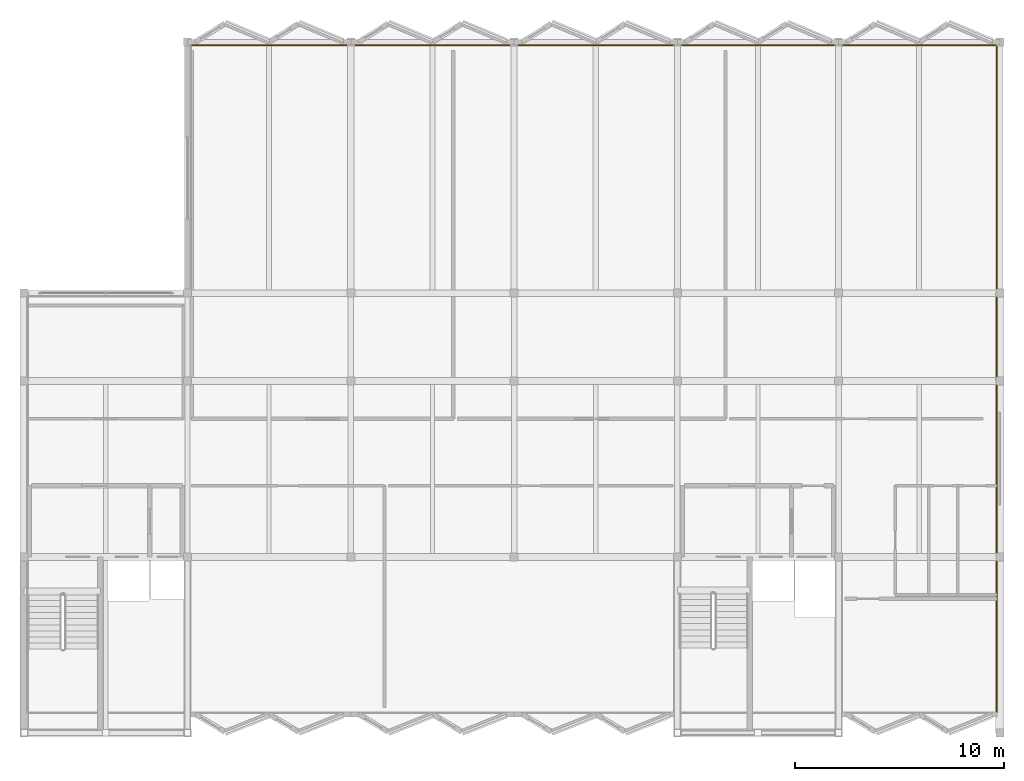
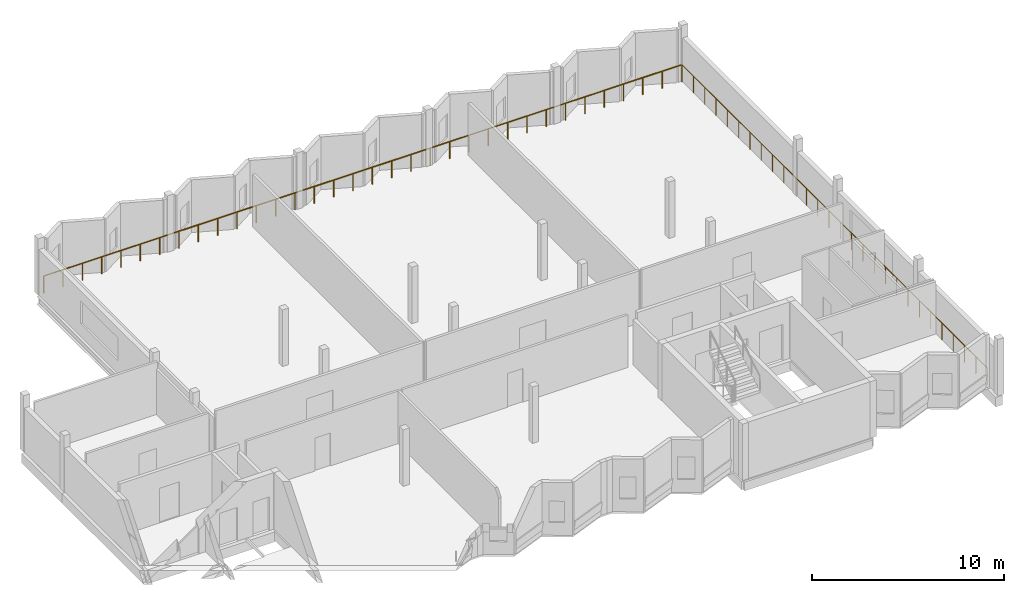
# One storey, part 11 of 11: 2 railings.
"""IFC4 building model written with IfcOpenShell, lengths in metres."""

import ifcopenshell
import ifcopenshell.guid

model = None  # the IFC model being written
_history = None  # IfcOwnerHistory: only IFC2X3 demands one
_inside = {}  # id of a spatial element -> (the spatial element, [elements in it])
_under = {}  # id of a project, library or spatial element -> (it, [spatial elements below it])
_declared = {}  # id of a project -> (the project, [libraries it declares])
_typed = {}  # id of a type object -> (the type object, [elements of that type])
_made_of = {}  # id of a material, layer set ... -> (it, [elements and type objects made of it])


def new_model(schema):
    """Start an empty IFC model of exactly this schema.

    Asked for "IFC4X3", IfcOpenShell would pick the latest addendum, in which some entities
    have other attributes; the version numbers below select the first issue.
    IFC2X3 requires an IfcOwnerHistory on every rooted entity: one is made here for all.
    """
    global model, _history
    if schema == "IFC4X3":
        model = ifcopenshell.file(schema_version=(4, 3, 0, 0))
    else:
        model = ifcopenshell.file(schema=schema)
    _inside.clear()
    _under.clear()
    _declared.clear()
    _typed.clear()
    _made_of.clear()
    _history = None
    if model.schema == "IFC2X3":
        org = make("IfcOrganization", Name="unknown")
        user = make(
            "IfcPersonAndOrganization",
            ThePerson=make("IfcPerson", FamilyName="unknown"),
            TheOrganization=org,
        )
        app = make(
            "IfcApplication",
            ApplicationDeveloper=org,
            Version="unknown",
            ApplicationFullName="unknown",
            ApplicationIdentifier="unknown",
        )
        _history = make(
            "IfcOwnerHistory",
            OwningUser=user,
            OwningApplication=app,
            ChangeAction="ADDED",
            CreationDate=0,
        )
    return model


def make(cls, **values):
    """One entity of the class cls with the attributes given. An attribute that is None is left unset."""
    return model.create_entity(
        cls, **{name: value for name, value in values.items() if value is not None}
    )


def rooted(cls, **values):
    """An entity with a GlobalId (a new one), such as an element, a storey or a relation."""
    return make(cls, GlobalId=ifcopenshell.guid.new(), OwnerHistory=_history, **values)


def si_unit(unit_type, name, prefix=None):
    """IfcSIUnit, for example si_unit("LENGTHUNIT", "METRE", prefix="MILLI")."""
    return make("IfcSIUnit", UnitType=unit_type, Prefix=prefix, Name=name)


def assignment(units):
    """IfcUnitAssignment: the units of a project."""
    return None if units is None else make("IfcUnitAssignment", Units=units)


def point(xyz):
    """IfcCartesianPoint."""
    return None if xyz is None else make("IfcCartesianPoint", Coordinates=xyz)


def direction(xyz):
    """IfcDirection."""
    return None if xyz is None else make("IfcDirection", DirectionRatios=xyz)


def frame(location, z_axis=None, x_axis=None):
    """IfcAxis2Placement3D, a coordinate frame: its origin and axes. An axis left out is left unset."""
    return make(
        "IfcAxis2Placement3D",
        Location=point(location),
        Axis=direction(z_axis),
        RefDirection=direction(x_axis),
    )


def frame_2d(location, x_axis=None):
    """IfcAxis2Placement2D, a coordinate frame in the plane: its origin and x axis."""
    return make(
        "IfcAxis2Placement2D", Location=point(location), RefDirection=direction(x_axis)
    )


def origin():
    """The frame at (0, 0, 0) with its axes left unset."""
    return frame((0.0, 0.0, 0.0))


def origin_2d():
    """The frame at (0, 0) in the plane with its x axis left unset."""
    return frame_2d((0.0, 0.0))


def place(relative_to, where):
    """IfcLocalPlacement: puts the frame where relative to a parent placement (None: the world)."""
    return make(
        "IfcLocalPlacement", PlacementRelTo=relative_to, RelativePlacement=where
    )


def context(
    kind, dimensions, precision=None, world=None, true_north=None, identifier=None
):
    """IfcGeometricRepresentationContext, for example the 3D "Model" context."""
    return make(
        "IfcGeometricRepresentationContext",
        ContextIdentifier=identifier,
        ContextType=kind,
        CoordinateSpaceDimension=dimensions,
        Precision=precision,
        WorldCoordinateSystem=world,
        TrueNorth=true_north,
    )


def subcontext(parent, identifier, kind, view, scale=None):
    """IfcGeometricRepresentationSubContext, for example "Body" below "Model"."""
    return make(
        "IfcGeometricRepresentationSubContext",
        ContextIdentifier=identifier,
        ContextType=kind,
        ParentContext=parent,
        TargetScale=scale,
        TargetView=view,
    )


def project(units=None, contexts=None):
    """IfcProject with its units and contexts."""
    return rooted(
        "IfcProject",
        Name="project",
        RepresentationContexts=contexts,
        UnitsInContext=assignment(units),
    )


def spatial(cls, under=None, at=None, **own):
    """A site, building, storey or space (cls), placed at a placement, below another one or the project."""
    s = rooted(cls, ObjectPlacement=at, **own)
    if under is not None:
        _under.setdefault(under.id(), (under, []))[1].append(s)
    return s


def profile(cls, at=None, kind="AREA", **sizes):
    """A parametric profile (cls). Its sizes go by their IFC names, for example OverallWidth=200.0."""
    return make(cls, ProfileType=kind, Position=at, **sizes)


def circle(**sizes):
    """IfcCircleProfileDef."""
    return profile("IfcCircleProfileDef", **sizes)


def extrude(swept, where, along, depth):
    """IfcExtrudedAreaSolid: the profile swept, set in the frame where, extruded along a direction by depth."""
    return make(
        "IfcExtrudedAreaSolid",
        SweptArea=swept,
        Position=where,
        ExtrudedDirection=direction(along),
        Depth=depth,
    )


def shape(context_of_items, identifier, shape_type, items):
    """IfcShapeRepresentation: the items that make up one representation, for example the "Body"."""
    return make(
        "IfcShapeRepresentation",
        ContextOfItems=context_of_items,
        RepresentationIdentifier=identifier,
        RepresentationType=shape_type,
        Items=items,
    )


def material(Name=None, Category=None):
    """IfcMaterial."""
    return make("IfcMaterial", Name=Name, Category=Category)


def made_of(thing, what):
    """Note that an element or type object is made of a material, layer set ...; save() writes the relation."""
    if what is not None:
        _made_of.setdefault(what.id(), (what, []))[1].append(thing)
    return thing


def type_object(cls, material=None, **own):
    """A type object (cls), such as IfcWallType, which elements share."""
    return made_of(rooted(cls, **own), material)


def element(
    cls,
    number,
    at=None,
    inside=None,
    cuts=None,
    type_object=None,
    material=None,
    context=None,
    identifier="Body",
    shape_type=None,
    held_by="IfcProductDefinitionShape",
    body=None,
    shapes=None,
    **own,
):
    """One element of the class cls, such as IfcWall. Its Tag is "e" and its number.

    at: its placement. inside: the storey or other place that contains it. cuts: it is an
    opening in that element (IfcRelVoidsElement). A single representation is given by context,
    identifier, shape_type and body (its items); several are given by shapes. held_by: the class
    of the entity that holds the representations. save() writes the other relations.
    """
    e = rooted(cls, Tag="e%d" % number, ObjectPlacement=at, **own)
    if body is not None:
        shapes = [shape(context, identifier, shape_type, body)]
    if shapes is not None:
        e.Representation = make(held_by, Representations=shapes)
    if inside is not None:
        _inside.setdefault(inside.id(), (inside, []))[1].append(e)
    if cuts is not None:
        rooted(
            "IfcRelVoidsElement", RelatingBuildingElement=cuts, RelatedOpeningElement=e
        )
    if type_object is not None:
        _typed.setdefault(type_object.id(), (type_object, []))[1].append(e)
    return made_of(e, material)


def aggregate(whole, parts):
    """IfcRelAggregates: a whole, such as a stair, and the parts it consists of."""
    return rooted("IfcRelAggregates", RelatingObject=whole, RelatedObjects=parts)


def save(model, path):
    """Write the relations noted so far, then the file.

    IfcRelAggregates (storeys below a building ...), IfcRelContainedInSpatialStructure (elements
    in a storey), IfcRelDefinesByType, IfcRelAssociatesMaterial and IfcRelDeclares: one each for
    every whole, place, type object, material and project.
    """
    for whole, parts in _under.values():
        aggregate(whole, parts)
    for where, things in _inside.values():
        rooted(
            "IfcRelContainedInSpatialStructure",
            RelatedElements=things,
            RelatingStructure=where,
        )
    for kind, things in _typed.values():
        rooted("IfcRelDefinesByType", RelatedObjects=things, RelatingType=kind)
    for what, things in _made_of.values():
        rooted("IfcRelAssociatesMaterial", RelatedObjects=things, RelatingMaterial=what)
    for by, libraries in _declared.values():
        rooted("IfcRelDeclares", RelatingContext=by, RelatedDefinitions=libraries)
    model.write(path)


model = new_model("IFC4")

# Units and contexts
model_context = context("Model", 3, precision=1e-05, world=origin(), true_north=direction((0.0, 1.0)))
body_context = subcontext(model_context, "Body", "Model", "MODEL_VIEW")
ifc_project = project(units=[si_unit("LENGTHUNIT", "METRE"), si_unit("AREAUNIT", "SQUARE_METRE"), si_unit("VOLUMEUNIT", "CUBIC_METRE"), si_unit("PLANEANGLEUNIT", "RADIAN"), si_unit("MASSUNIT", "GRAM", prefix="KILO")], contexts=[model_context])

# Site, building, storey
site_placement = place(None, origin())
site = spatial("IfcSite", under=ifc_project, at=site_placement, CompositionType="ELEMENT")
building_placement = place(site_placement, origin())
building = spatial("IfcBuilding", under=site, at=building_placement, Name="Vharandega Faculty of Natural Sciences", CompositionType="ELEMENT")
storey_placement = place(building_placement, frame((0.0, 0.0, 36.0)))
storey = spatial("IfcBuildingStorey", under=building, at=storey_placement, Name="L09", CompositionType="ELEMENT", Elevation=36.0)

# Railings
ifc_material = material(Name="Galvanised painted steel balustrade", Category="steel")
railing_type = type_object("IfcRailingType", Name="Terrace Steel Guardrail 1100", PredefinedType="GUARDRAIL", material=ifc_material)
railing_1_placement = place(storey_placement, frame((161.25, 64.97509765625, 0.0)))
element("IfcRailing", 1, at=railing_1_placement, inside=storey, type_object=railing_type, Name="Perimeter Sill Guard L09 #2", PredefinedType="GUARDRAIL", context=body_context, shape_type="SweptSolid", body=[
    extrude(circle(Radius=0.02392578125, at=origin_2d()), frame((0.0, 0.0, 1.076171875), z_axis=(0.0, 1.0, 0.0), x_axis=(-1.0, 0.0, 0.0)), (0.0, 0.0, 1.0), 31.849853515625),
    extrude(circle(Radius=0.02099609375, at=origin_2d()), origin(), (0.0, 0.0, 1.0), 1.052001953125),
    extrude(circle(Radius=0.02099609375, at=origin_2d()), frame((0.0, 1.1796875, 0.0)), (0.0, 0.0, 1.0), 1.052001953125),
    extrude(circle(Radius=0.02099609375, at=origin_2d()), frame((0.0, 2.359130859375, 0.0)), (0.0, 0.0, 1.0), 1.052001953125),
    extrude(circle(Radius=0.02099609375, at=origin_2d()), frame((0.0, 3.538818359375, 0.0)), (0.0, 0.0, 1.0), 1.052001953125),
    extrude(circle(Radius=0.02099609375, at=origin_2d()), frame((0.0, 4.718505859375, 0.0)), (0.0, 0.0, 1.0), 1.052001953125),
    extrude(circle(Radius=0.02099609375, at=origin_2d()), frame((0.0, 5.898193359375, 0.0)), (0.0, 0.0, 1.0), 1.052001953125),
    extrude(circle(Radius=0.02099609375, at=origin_2d()), frame((0.0, 7.07763671875, 0.0)), (0.0, 0.0, 1.0), 1.052001953125),
    extrude(circle(Radius=0.02099609375, at=origin_2d()), frame((0.0, 8.25732421875, 0.0)), (0.0, 0.0, 1.0), 1.052001953125),
    extrude(circle(Radius=0.02099609375, at=origin_2d()), frame((0.0, 9.43701171875, 0.0)), (0.0, 0.0, 1.0), 1.052001953125),
    extrude(circle(Radius=0.02099609375, at=origin_2d()), frame((0.0, 10.61669921875, 0.0)), (0.0, 0.0, 1.0), 1.052001953125),
    extrude(circle(Radius=0.02099609375, at=origin_2d()), frame((0.0, 11.796142578125, 0.0)), (0.0, 0.0, 1.0), 1.052001953125),
    extrude(circle(Radius=0.02099609375, at=origin_2d()), frame((0.0, 12.975830078125, 0.0)), (0.0, 0.0, 1.0), 1.052001953125),
    extrude(circle(Radius=0.02099609375, at=origin_2d()), frame((0.0, 14.155517578125, 0.0)), (0.0, 0.0, 1.0), 1.052001953125),
    extrude(circle(Radius=0.02099609375, at=origin_2d()), frame((0.0, 15.335205078125, 0.0)), (0.0, 0.0, 1.0), 1.052001953125),
    extrude(circle(Radius=0.02099609375, at=origin_2d()), frame((0.0, 16.5146484375, 0.0)), (0.0, 0.0, 1.0), 1.052001953125),
    extrude(circle(Radius=0.02099609375, at=origin_2d()), frame((0.0, 17.6943359375, 0.0)), (0.0, 0.0, 1.0), 1.052001953125),
    extrude(circle(Radius=0.02099609375, at=origin_2d()), frame((0.0, 18.8740234375, 0.0)), (0.0, 0.0, 1.0), 1.052001953125),
    extrude(circle(Radius=0.02099609375, at=origin_2d()), frame((0.0, 20.0537109375, 0.0)), (0.0, 0.0, 1.0), 1.052001953125),
    extrude(circle(Radius=0.02099609375, at=origin_2d()), frame((0.0, 21.233154296875, 0.0)), (0.0, 0.0, 1.0), 1.052001953125),
    extrude(circle(Radius=0.02099609375, at=origin_2d()), frame((0.0, 22.412841796875, 0.0)), (0.0, 0.0, 1.0), 1.052001953125),
    extrude(circle(Radius=0.02099609375, at=origin_2d()), frame((0.0, 23.592529296875, 0.0)), (0.0, 0.0, 1.0), 1.052001953125),
    extrude(circle(Radius=0.02099609375, at=origin_2d()), frame((0.0, 24.772216796875, 0.0)), (0.0, 0.0, 1.0), 1.052001953125),
    extrude(circle(Radius=0.02099609375, at=origin_2d()), frame((0.0, 25.95166015625, 0.0)), (0.0, 0.0, 1.0), 1.052001953125),
    extrude(circle(Radius=0.02099609375, at=origin_2d()), frame((0.0, 27.13134765625, 0.0)), (0.0, 0.0, 1.0), 1.052001953125),
    extrude(circle(Radius=0.02099609375, at=origin_2d()), frame((0.0, 28.31103515625, 0.0)), (0.0, 0.0, 1.0), 1.052001953125),
    extrude(circle(Radius=0.02099609375, at=origin_2d()), frame((0.0, 29.49072265625, 0.0)), (0.0, 0.0, 1.0), 1.052001953125),
    extrude(circle(Radius=0.02099609375, at=origin_2d()), frame((0.0, 30.670166015625, 0.0)), (0.0, 0.0, 1.0), 1.052001953125),
    extrude(circle(Radius=0.02099609375, at=origin_2d()), frame((0.0, 31.849853515625, 0.0)), (0.0, 0.0, 1.0), 1.052001953125),
])
railing_2_placement = place(storey_placement, frame((161.22509765625, 96.85009765625, 0.0)))
element("IfcRailing", 2, at=railing_2_placement, inside=storey, type_object=railing_type, Name="Perimeter Sill Guard L09 #3", PredefinedType="GUARDRAIL", context=body_context, shape_type="SweptSolid", body=[
    extrude(circle(Radius=0.02392578125, at=origin_2d()), frame((0.0, 0.0, 1.076171875), z_axis=(-1.0, 0.0, 0.0), x_axis=(0.0, -1.0, 0.0)), (0.0, 0.0, 1.0), 38.4501953125),
    extrude(circle(Radius=0.02099609375, at=origin_2d()), origin(), (0.0, 0.0, 1.0), 1.052001953125),
    extrude(circle(Radius=0.02099609375, at=origin_2d()), frame((-1.1650390625, 0.0, 0.0)), (0.0, 0.0, 1.0), 1.052001953125),
    extrude(circle(Radius=0.02099609375, at=origin_2d()), frame((-2.330322265625, 0.0, 0.0)), (0.0, 0.0, 1.0), 1.052001953125),
    extrude(circle(Radius=0.02099609375, at=origin_2d()), frame((-3.495361328125, 0.0, 0.0)), (0.0, 0.0, 1.0), 1.052001953125),
    extrude(circle(Radius=0.02099609375, at=origin_2d()), frame((-4.66064453125, 0.0, 0.0)), (0.0, 0.0, 1.0), 1.052001953125),
    extrude(circle(Radius=0.02099609375, at=origin_2d()), frame((-5.82568359375, 0.0, 0.0)), (0.0, 0.0, 1.0), 1.052001953125),
    extrude(circle(Radius=0.02099609375, at=origin_2d()), frame((-6.990966796875, 0.0, 0.0)), (0.0, 0.0, 1.0), 1.052001953125),
    extrude(circle(Radius=0.02099609375, at=origin_2d()), frame((-8.156005859375, 0.0, 0.0)), (0.0, 0.0, 1.0), 1.052001953125),
    extrude(circle(Radius=0.02099609375, at=origin_2d()), frame((-9.3212890625, 0.0, 0.0)), (0.0, 0.0, 1.0), 1.052001953125),
    extrude(circle(Radius=0.02099609375, at=origin_2d()), frame((-10.486328125, 0.0, 0.0)), (0.0, 0.0, 1.0), 1.052001953125),
    extrude(circle(Radius=0.02099609375, at=origin_2d()), frame((-11.651611328125, 0.0, 0.0)), (0.0, 0.0, 1.0), 1.052001953125),
    extrude(circle(Radius=0.02099609375, at=origin_2d()), frame((-12.816650390625, 0.0, 0.0)), (0.0, 0.0, 1.0), 1.052001953125),
    extrude(circle(Radius=0.02099609375, at=origin_2d()), frame((-13.98193359375, 0.0, 0.0)), (0.0, 0.0, 1.0), 1.052001953125),
    extrude(circle(Radius=0.02099609375, at=origin_2d()), frame((-15.14697265625, 0.0, 0.0)), (0.0, 0.0, 1.0), 1.052001953125),
    extrude(circle(Radius=0.02099609375, at=origin_2d()), frame((-16.312255859375, 0.0, 0.0)), (0.0, 0.0, 1.0), 1.052001953125),
    extrude(circle(Radius=0.02099609375, at=origin_2d()), frame((-17.477294921875, 0.0, 0.0)), (0.0, 0.0, 1.0), 1.052001953125),
    extrude(circle(Radius=0.02099609375, at=origin_2d()), frame((-18.642578125, 0.0, 0.0)), (0.0, 0.0, 1.0), 1.052001953125),
    extrude(circle(Radius=0.02099609375, at=origin_2d()), frame((-19.8076171875, 0.0, 0.0)), (0.0, 0.0, 1.0), 1.052001953125),
    extrude(circle(Radius=0.02099609375, at=origin_2d()), frame((-20.972900390625, 0.0, 0.0)), (0.0, 0.0, 1.0), 1.052001953125),
    extrude(circle(Radius=0.02099609375, at=origin_2d()), frame((-22.137939453125, 0.0, 0.0)), (0.0, 0.0, 1.0), 1.052001953125),
    extrude(circle(Radius=0.02099609375, at=origin_2d()), frame((-23.30322265625, 0.0, 0.0)), (0.0, 0.0, 1.0), 1.052001953125),
    extrude(circle(Radius=0.02099609375, at=origin_2d()), frame((-24.46826171875, 0.0, 0.0)), (0.0, 0.0, 1.0), 1.052001953125),
    extrude(circle(Radius=0.02099609375, at=origin_2d()), frame((-25.633544921875, 0.0, 0.0)), (0.0, 0.0, 1.0), 1.052001953125),
    extrude(circle(Radius=0.02099609375, at=origin_2d()), frame((-26.798583984375, 0.0, 0.0)), (0.0, 0.0, 1.0), 1.052001953125),
    extrude(circle(Radius=0.02099609375, at=origin_2d()), frame((-27.9638671875, 0.0, 0.0)), (0.0, 0.0, 1.0), 1.052001953125),
    extrude(circle(Radius=0.02099609375, at=origin_2d()), frame((-29.12890625, 0.0, 0.0)), (0.0, 0.0, 1.0), 1.052001953125),
    extrude(circle(Radius=0.02099609375, at=origin_2d()), frame((-30.294189453125, 0.0, 0.0)), (0.0, 0.0, 1.0), 1.052001953125),
    extrude(circle(Radius=0.02099609375, at=origin_2d()), frame((-31.459228515625, 0.0, 0.0)), (0.0, 0.0, 1.0), 1.052001953125),
    extrude(circle(Radius=0.02099609375, at=origin_2d()), frame((-32.62451171875, 0.0, 0.0)), (0.0, 0.0, 1.0), 1.052001953125),
    extrude(circle(Radius=0.02099609375, at=origin_2d()), frame((-33.78955078125, 0.0, 0.0)), (0.0, 0.0, 1.0), 1.052001953125),
    extrude(circle(Radius=0.02099609375, at=origin_2d()), frame((-34.954833984375, 0.0, 0.0)), (0.0, 0.0, 1.0), 1.052001953125),
    extrude(circle(Radius=0.02099609375, at=origin_2d()), frame((-36.119873046875, 0.0, 0.0)), (0.0, 0.0, 1.0), 1.052001953125),
    extrude(circle(Radius=0.02099609375, at=origin_2d()), frame((-37.28515625, 0.0, 0.0)), (0.0, 0.0, 1.0), 1.052001953125),
    extrude(circle(Radius=0.02099609375, at=origin_2d()), frame((-38.4501953125, 0.0, 0.0)), (0.0, 0.0, 1.0), 1.052001953125),
])

save(model, "model.ifc")
